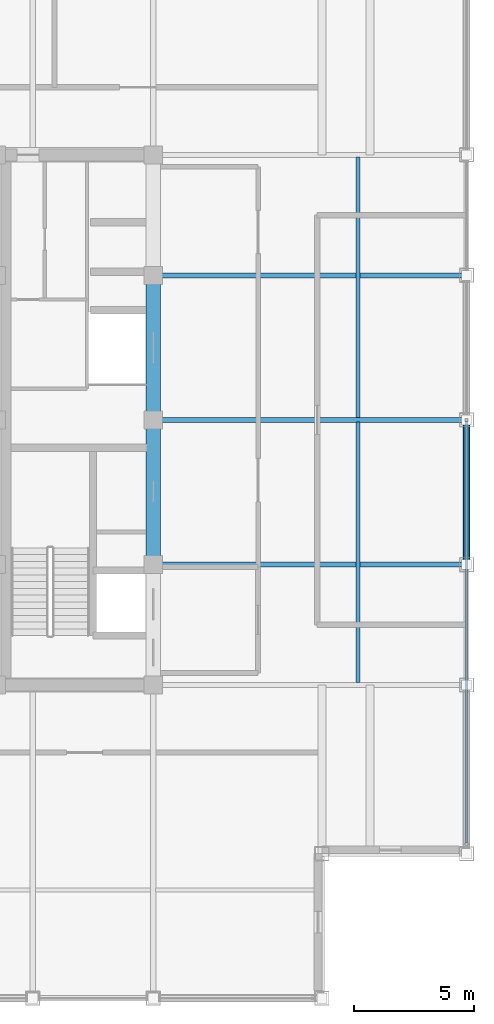
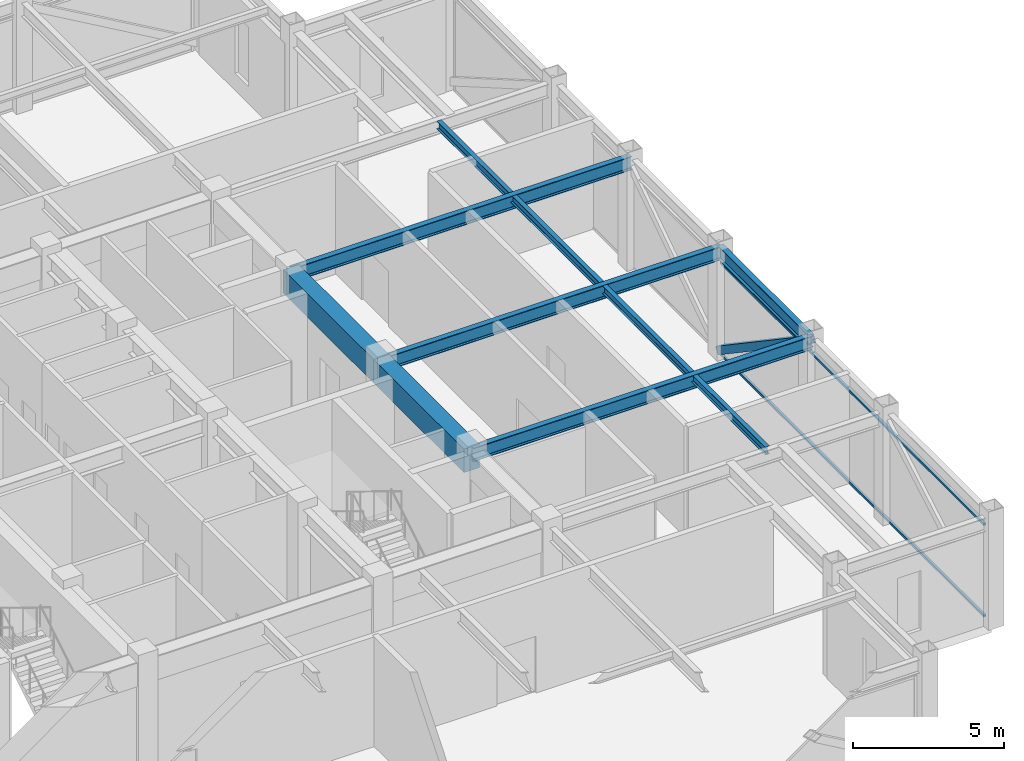
# One storey, part 11 of 27: 8 beams, 3 members, 1 element without a shape of its own.
"""IFC4 building model written with IfcOpenShell, lengths in metres."""

from ifc_helpers import new_model, si_unit, direction, frame, origin, origin_2d, place, context, subcontext, project, spatial, rectangle, hollow_rectangle, i_section, extrude, source, transform, mapped, material, material_profile, profile_set, type_object, element, aggregate, save


model = new_model("IFC4")

# Units and contexts
model_context = context("Model", 3, precision=1e-05, world=origin(), true_north=direction((0.0, 1.0)))
body_context = subcontext(model_context, "Body", "Model", "MODEL_VIEW")
ifc_project = project(units=[si_unit("LENGTHUNIT", "METRE"), si_unit("AREAUNIT", "SQUARE_METRE"), si_unit("VOLUMEUNIT", "CUBIC_METRE"), si_unit("PLANEANGLEUNIT", "RADIAN"), si_unit("MASSUNIT", "GRAM", prefix="KILO")], contexts=[model_context])

# Site, building, storey
site_placement = place(None, origin())
site = spatial("IfcSite", under=ifc_project, at=site_placement, CompositionType="ELEMENT")
building_placement = place(site_placement, origin())
building = spatial("IfcBuilding", under=site, at=building_placement, Name="Khorayat Bourse Tower", CompositionType="ELEMENT")
storey_placement = place(building_placement, frame((0.0, 0.0, 389.89990234375)))
storey = spatial("IfcBuildingStorey", under=building, at=storey_placement, Name="L92", CompositionType="ELEMENT", Elevation=389.89990234375)

# Beams
ifc_material_1 = material(Name="Concrete C60/75", Category="concrete")
ifc_material_profile_1 = material_profile(ifc_material_1, rectangle(XDim=0.60009765625, YDim=0.949951171875, at=origin_2d()), Name="RC 600x950")
ifc_profile_set_1 = profile_set([ifc_material_profile_1], Name="Concrete C60/75")
beam_type_1 = type_object("IfcBeamType", Name="BM-COUP-950", PredefinedType="BEAM", material=ifc_profile_set_1)
shared_shape_1 = source(origin(), body_context, "Body", "SweptSolid", [
    extrude(rectangle(XDim=0.60009765625, YDim=0.949951171875, at=origin_2d()), origin(), (0.0, 0.0, 1.0), 6.0),
])
for number, where, z_axis, x_axis, name in (
    (1, (11.0, -6.0, 3.97509765625), (0.0, 1.0, 0.0), (-1.0, 0.0, 0.0), "L92 BM-COUP-950 BM-L92-CRX-14"),
    (2, (11.0, 0.0, 3.97509765625), (0.0, 1.0, 0.0), (-1.0, 0.0, 0.0), "L92 BM-COUP-950 BM-L92-CRX-15"),
):
    element("IfcBeam", number, at=place(storey_placement, frame(where, z_axis=z_axis, x_axis=x_axis)), inside=storey, type_object=beam_type_1, Name=name, PredefinedType="BEAM", context=body_context, shape_type="MappedRepresentation", body=[
        mapped(shared_shape_1, transform((0.0, 0.0, 0.0), scale=1.0)),
    ])
ifc_material_2 = material(Name="Steel ASTM A992 Grade 50", Category="steel")
ifc_material_profile_2 = material_profile(ifc_material_2, i_section(OverallWidth=0.214111328125, OverallDepth=0.549072265625, WebThickness=0.0146484375, FlangeThickness=0.023681640625, FilletRadius=0.013916015625, at=origin_2d()), Name="W530X138")
ifc_profile_set_2 = profile_set([ifc_material_profile_2], Name="Steel ASTM A992 Grade 50")
beam_type_2 = type_object("IfcBeamType", Name="BM-SPAN-530", PredefinedType="SPANDREL", material=ifc_profile_set_2)
shared_shape_2 = source(origin(), body_context, "Body", "SweptSolid", [
    extrude(i_section(OverallWidth=0.214111328125, OverallDepth=0.549072265625, WebThickness=0.0146484375, FlangeThickness=0.023681640625, FilletRadius=0.013916015625, at=origin_2d()), origin(), (0.0, 0.0, 1.0), 6.0),
])
beam_placement = place(storey_placement, frame((24.0, -6.0, 4.175537109375), z_axis=(0.0, 1.0, 0.0), x_axis=(-1.0, 0.0, 0.0)))
element("IfcBeam", 3, at=beam_placement, inside=storey, type_object=beam_type_2, Name="L92 BM-SPAN-530 BM-L92-SPN-034", PredefinedType="SPANDREL", context=body_context, shape_type="MappedRepresentation", body=[
    mapped(shared_shape_2, transform((0.0, 0.0, 0.0), scale=1.0)),
])
ifc_material_profile_3 = material_profile(ifc_material_2, i_section(OverallWidth=0.214111328125, OverallDepth=0.549072265625, WebThickness=0.0146484375, FlangeThickness=0.023681640625, FilletRadius=0.013916015625, at=origin_2d()), Name="W530X138")
ifc_profile_set_3 = profile_set([ifc_material_profile_3], Name="Steel ASTM A992 Grade 50")
beam_type_3 = type_object("IfcBeamType", Name="BM-GIRD-530", PredefinedType="BEAM", material=ifc_profile_set_3)
shared_shape_3 = source(origin(), body_context, "Body", "SweptSolid", [
    extrude(i_section(OverallWidth=0.214111328125, OverallDepth=0.549072265625, WebThickness=0.0146484375, FlangeThickness=0.023681640625, FilletRadius=0.013916015625, at=origin_2d()), origin(), (0.0, 0.0, 1.0), 13.0),
])
for number, where, z_axis, x_axis, name in (
    (4, (11.0, -6.0, 4.175537109375), (1.0, 0.0, 0.0), (0.0, 1.0, 0.0), "L92 BM-GIRD-530 BM-L92-RADX-068"),
    (5, (11.0, 0.0, 4.175537109375), (1.0, 0.0, 0.0), (0.0, 1.0, 0.0), "L92 BM-GIRD-530 BM-L92-RADX-070"),
    (6, (11.0, 6.0, 4.175537109375), (1.0, 0.0, 0.0), (0.0, 1.0, 0.0), "L92 BM-GIRD-530 BM-L92-RADX-072"),
):
    element("IfcBeam", number, at=place(storey_placement, frame(where, z_axis=z_axis, x_axis=x_axis)), inside=storey, type_object=beam_type_3, Name=name, PredefinedType="BEAM", context=body_context, shape_type="MappedRepresentation", body=[
        mapped(shared_shape_3, transform((0.0, 0.0, 0.0), scale=1.0)),
    ])
ifc_material_profile_4 = material_profile(ifc_material_2, i_section(OverallWidth=0.1669921875, OverallDepth=0.31689453125, WebThickness=0.007568359375, FlangeThickness=0.01318359375, FilletRadius=0.010009765625, at=origin_2d()), Name="W310X52")
ifc_profile_set_4 = profile_set([ifc_material_profile_4], Name="Steel ASTM A992 Grade 50")
beam_type_4 = type_object("IfcBeamType", Name="BM-JOIST-310", PredefinedType="JOIST", material=ifc_profile_set_4)
shared_shape_4 = source(origin(), body_context, "Body", "SweptSolid", [
    extrude(i_section(OverallWidth=0.1669921875, OverallDepth=0.31689453125, WebThickness=0.007568359375, FlangeThickness=0.01318359375, FilletRadius=0.010009765625, at=origin_2d()), origin(), (0.0, 0.0, 1.0), 10.81005859375),
])
for number, where, z_axis, x_axis, name in (
    (7, (19.5, -10.905029296875, 4.29150390625), (0.0, 1.0, 0.0), (-1.0, 0.0, 0.0), "L92 BM-JOIST-310 BM-L92-JSTY-092"),
    (8, (19.5, 0.094970703125, 4.29150390625), (0.0, 1.0, 0.0), (-1.0, 0.0, 0.0), "L92 BM-JOIST-310 BM-L92-JSTY-093"),
):
    element("IfcBeam", number, at=place(storey_placement, frame(where, z_axis=z_axis, x_axis=x_axis)), inside=storey, type_object=beam_type_4, Name=name, PredefinedType="JOIST", context=body_context, shape_type="MappedRepresentation", body=[
        mapped(shared_shape_4, transform((0.0, 0.0, 0.0), scale=1.0)),
    ])

# Member
ifc_material_3 = material(Name="Steel EN 10025-2 S355J2", Category="steel")
ifc_material_profile_5 = material_profile(ifc_material_3, hollow_rectangle(XDim=0.300048828125, YDim=0.300048828125, WallThickness=0.01611328125, at=origin_2d()), Name="HSS 300x300x16")
ifc_profile_set_5 = profile_set([ifc_material_profile_5], Name="Steel EN 10025-2 S355J2")
member_type_1 = type_object("IfcMemberType", Name="MBR-CROWN-300", PredefinedType="USERDEFINED", material=ifc_profile_set_5)
shared_shape_5 = source(origin(), body_context, "Body", "SweptSolid", [
    extrude(hollow_rectangle(XDim=0.300048828125, YDim=0.300048828125, WallThickness=0.01611328125, at=origin_2d()), origin(), (0.0, 0.0, 1.0), 7.23876953125),
])
member_1_placement = place(storey_placement, frame((24.0, -6.0, 4.25), z_axis=(0.0, 0.828861185526, -0.559454319072), x_axis=(-1.0, 0.0, 0.0)))
element("IfcMember", 9, at=member_1_placement, inside=storey, type_object=member_type_1, Name="L92 Lantern Crown Frame Member 14", ObjectType="CROWN FRAME", PredefinedType="USERDEFINED", context=body_context, shape_type="MappedRepresentation", body=[
    mapped(shared_shape_5, transform((0.0, 0.0, 0.0), scale=1.0)),
])

# Curtain wall, members
ifc_material_4 = material(Name="Aluminium EN AW-6063 T6", Category="aluminium")
curtain_wall_type = type_object("IfcCurtainWallType", Name="CW-SYS-07", PredefinedType="NOTDEFINED", material=ifc_material_4)
curtain_wall_placement = place(storey_placement, origin())
curtain_wall = element("IfcCurtainWall", 10, at=curtain_wall_placement, inside=storey, type_object=curtain_wall_type, Name="L92 Curtain Wall CW-L92-E1", PredefinedType="NOTDEFINED")
ifc_material_profile_6 = material_profile(ifc_material_4, hollow_rectangle(XDim=0.090087890625, YDim=0.090087890625, WallThickness=0.00390625, at=origin_2d()), Name="ALU 90x90x4")
ifc_profile_set_6 = profile_set([ifc_material_profile_6], Name="Aluminium EN AW-6063 T6")
member_type_2 = type_object("IfcMemberType", Name="CWT-HORZ-90", PredefinedType="USERDEFINED", material=ifc_profile_set_6)
shared_shape_6 = source(origin(), body_context, "Body", "SweptSolid", [
    extrude(hollow_rectangle(XDim=0.090087890625, YDim=0.090087890625, WallThickness=0.00390625, at=origin_2d()), origin(), (0.0, 0.0, 1.0), 17.5),
])
member_2_placement = place(storey_placement, frame((24.0, -17.550048828125, 0.045166015625), z_axis=(0.0, 1.0, 0.0), x_axis=(-1.0, 0.0, 0.0)))
member_2 = element("IfcMember", 11, at=member_2_placement, type_object=member_type_2, Name="CW-L92-E1 Horizontal Transom 1-1", ObjectType="TRANSOM", PredefinedType="USERDEFINED", context=body_context, shape_type="MappedRepresentation", body=[
    mapped(shared_shape_6, transform((0.0, 0.0, 0.0), scale=1.0)),
])
member_3_placement = place(storey_placement, frame((24.0, -17.550048828125, 3.755126953125), z_axis=(0.0, 1.0, 0.0), x_axis=(-1.0, 0.0, 0.0)))
member_3 = element("IfcMember", 12, at=member_3_placement, type_object=member_type_2, Name="CW-L92-E1 Horizontal Transom 1-2", ObjectType="TRANSOM", PredefinedType="USERDEFINED", context=body_context, shape_type="MappedRepresentation", body=[
    mapped(shared_shape_6, transform((0.0, 0.0, 0.0), scale=1.0)),
])
aggregate(curtain_wall, [member_2, member_3])

save(model, "model.ifc")
